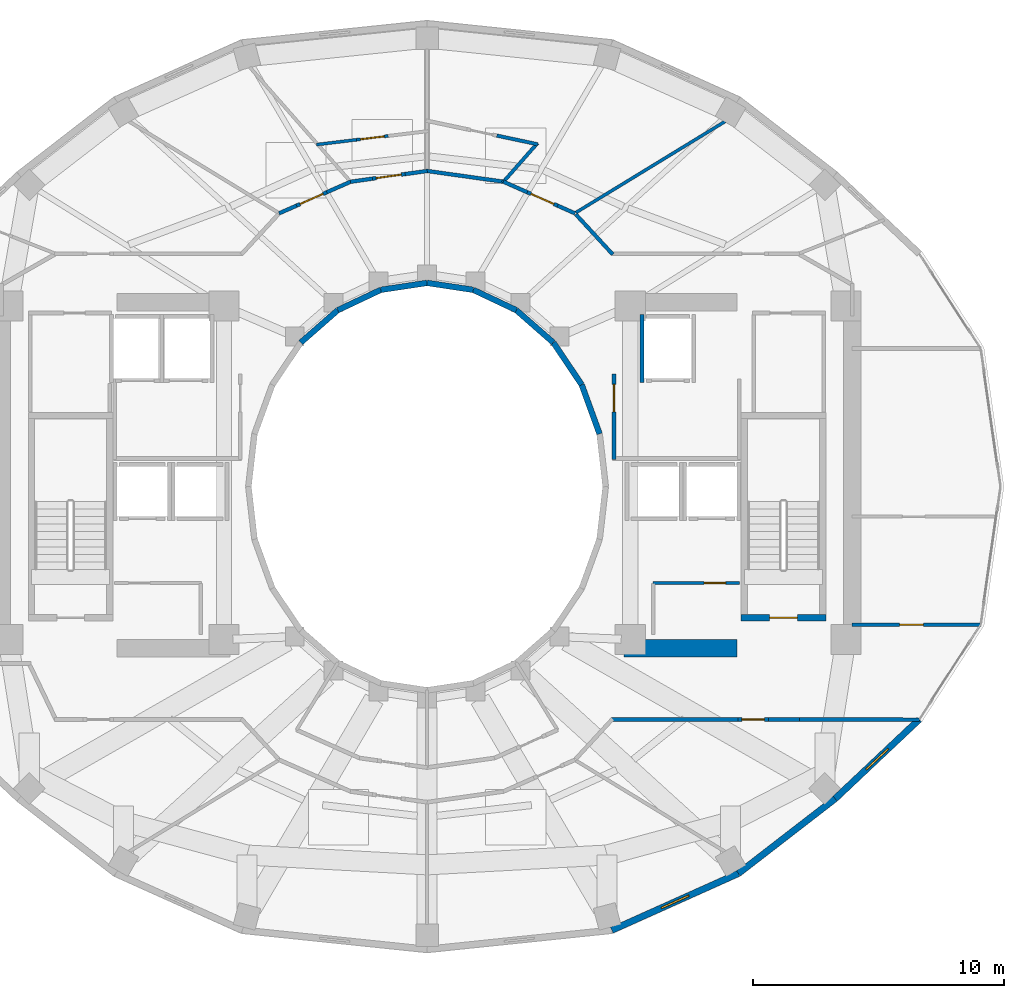
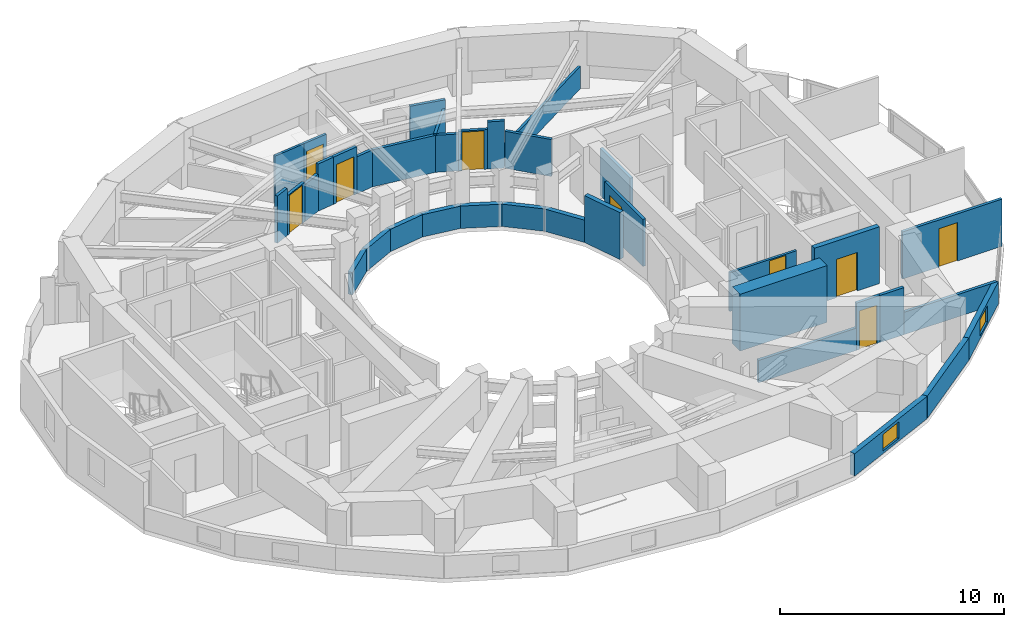
# One storey, part 8 of 13: 37 walls, 9 doors, 2 windows, 11 openings.
"""IFC4 building model written with IfcOpenShell, lengths in metres."""

from ifc_helpers import new_model, si_unit, direction, frame, frame_2d, origin, place, context, subcontext, project, spatial, rectangle, extrude, material, layer, layer_set, type_object, element, fill, save


model = new_model("IFC4")

# Units and contexts
model_context = context("Model", 3, precision=1e-05, world=origin(), true_north=direction((0.0, 1.0)))
body_context = subcontext(model_context, "Body", "Model", "MODEL_VIEW")
ifc_project = project(units=[si_unit("LENGTHUNIT", "METRE"), si_unit("AREAUNIT", "SQUARE_METRE"), si_unit("VOLUMEUNIT", "CUBIC_METRE"), si_unit("PLANEANGLEUNIT", "RADIAN"), si_unit("MASSUNIT", "GRAM", prefix="KILO")], contexts=[model_context])

# Site, building, storey
site_placement = place(None, origin())
site = spatial("IfcSite", under=ifc_project, at=site_placement, CompositionType="ELEMENT")
building_placement = place(site_placement, origin())
building = spatial("IfcBuilding", under=site, at=building_placement, Name="Solvane Sanctuary Tower", CompositionType="ELEMENT")
storey_placement = place(building_placement, frame((0.0, 0.0, 149.800048828125)))
storey = spatial("IfcBuildingStorey", under=building, at=storey_placement, Name="L45", CompositionType="ELEMENT", Elevation=149.800048828125)

# Wall
ifc_material_1 = material(Name="Concrete C60/75", Category="concrete")
ifc_layer_1 = layer(ifc_material_1, 0.699951171875, Name="Concrete C60/75")
ifc_layer_set_1 = layer_set([ifc_layer_1], Name="Concrete C60/75")
wall_type_1 = type_object("IfcWallType", Name="Wall W-CORE-700", PredefinedType="SHEAR", material=ifc_layer_set_1)
wall_1_placement = place(storey_placement, frame((39.85009765625, 16.550048828125, 0.0), z_axis=(0.0, 0.0, 1.0), x_axis=(1.0, 0.0, 0.0)))
element("IfcWall", 1, at=wall_1_placement, inside=storey, type_object=wall_type_1, Name="L45 Core Shear Wall EC-S", PredefinedType="SHEAR", context=body_context, shape_type="SweptSolid", body=[
    extrude(rectangle(XDim=4.5, YDim=0.699951171875, at=frame_2d((2.25, 0.0))), origin(), (0.0, 0.0, 1.0), 3.099853515625),
])

# Wall, opening, door
ifc_material_2 = material(Name="Acoustic Gypsum Partition Board")
ifc_layer_2 = layer(ifc_material_2, 0.14990234375, Name="Acoustic Gypsum Partition Board")
ifc_layer_set_2 = layer_set([ifc_layer_2], Name="Acoustic Gypsum Partition Board")
wall_type_2 = type_object("IfcWallType", Name="Wall W-CORR-150", PredefinedType="PARTITIONING", material=ifc_layer_set_2)
wall_2_placement = place(storey_placement, frame((39.449951171875, 24.080078125, 0.0), z_axis=(0.0, 0.0, 1.0), x_axis=(0.0, 1.0, 0.0)))
wall_2 = element("IfcWall", 2, at=wall_2_placement, inside=storey, type_object=wall_type_2, Name="L45 East Firefighting Lobby West Wall", PredefinedType="PARTITIONING", context=body_context, shape_type="SweptSolid", body=[
    extrude(rectangle(XDim=3.39990234375, YDim=0.14990234375, at=frame_2d((1.699951171875, 0.0))), origin(), (0.0, 0.0, 1.0), 2.574951171875),
])
opening_1_placement = place(wall_2_placement, frame((1.893798828125, 0.0, 0.0)))
opening_1 = element("IfcOpeningElement", 3, at=opening_1_placement, cuts=wall_2, Name="Opening D-L45-05", PredefinedType="OPENING", context=body_context, shape_type="SweptSolid", body=[
    extrude(rectangle(XDim=1.10009765625, YDim=2.10009765625, at=frame_2d((0.550048828125, 1.050048828125))), frame((0.0, 0.0849609375, 0.0), z_axis=(0.0, -1.0, 0.0), x_axis=(1.0, 0.0, 0.0)), (0.0, 0.0, 1.0), 0.169921875),
])
ifc_material_3 = material(Name="Architectural Stainless Steel 316", Category="steel")
door_type_1 = type_object("IfcDoorType", Name="Door D-FFL", OperationType="NOTDEFINED", PredefinedType="DOOR", material=ifc_material_3)
door_1_placement = place(opening_1_placement, origin())
door_1 = element("IfcDoor", 4, at=door_1_placement, inside=storey, type_object=door_type_1, Name="L45 East Firefighting Lobby Fire Door", OperationType="SINGLE_SWING_LEFT", OverallHeight=2.10009765625, OverallWidth=1.10009765625, PredefinedType="DOOR", context=body_context, shape_type="SweptSolid", body=[
    extrude(rectangle(XDim=1.10009765625, YDim=2.10009765625, at=frame_2d((0.550048828125, 1.050048828125))), frame((0.0, 0.02490234375, 0.0), z_axis=(0.0, -1.0, 0.0), x_axis=(1.0, 0.0, 0.0)), (0.0, 0.0, 1.0), 0.050048828125),
])
fill(opening_1, door_1)

wall_3_placement = place(storey_placement, frame((48.949951171875, 17.4970703125, 0.0), z_axis=(0.0, 0.0, 1.0), x_axis=(1.0, 0.0, 0.0)))
wall_3 = element("IfcWall", 5, at=wall_3_placement, inside=storey, type_object=wall_type_2, Name="L45 East Shoulder South Wall", PredefinedType="PARTITIONING", context=body_context, shape_type="SweptSolid", body=[
    extrude(rectangle(XDim=5.14013671875, YDim=0.14990234375, at=frame_2d((2.570068359375, 0.0))), origin(), (0.0, 0.0, 1.0), 2.574951171875),
])
opening_2_placement = place(wall_3_placement, frame((1.888671875, 0.0, 0.0)))
opening_2 = element("IfcOpeningElement", 6, at=opening_2_placement, cuts=wall_3, Name="Opening D-L45-10", PredefinedType="OPENING", context=body_context, shape_type="SweptSolid", body=[
    extrude(rectangle(XDim=0.949951171875, YDim=2.10009765625, at=frame_2d((0.47509765625, 1.050048828125))), frame((0.0, 0.0849609375, 0.0), z_axis=(0.0, -1.0, 0.0), x_axis=(1.0, 0.0, 0.0)), (0.0, 0.0, 1.0), 0.169921875),
])
ifc_material_4 = material(Name="Engineered Tropical Hardwood", Category="wood")
door_type_2 = type_object("IfcDoorType", Name="Door D-ROOM-950", OperationType="NOTDEFINED", PredefinedType="DOOR", material=ifc_material_4)
door_2_placement = place(opening_2_placement, origin())
door_2 = element("IfcDoor", 7, at=door_2_placement, inside=storey, type_object=door_type_2, Name="L45 East Shoulder South Door", OperationType="SINGLE_SWING_RIGHT", OverallHeight=2.10009765625, OverallWidth=0.949951171875, PredefinedType="DOOR", context=body_context, shape_type="SweptSolid", body=[
    extrude(rectangle(XDim=0.949951171875, YDim=2.10009765625, at=frame_2d((0.47509765625, 1.050048828125))), frame((0.0, 0.02490234375, 0.0), z_axis=(0.0, -1.0, 0.0), x_axis=(1.0, 0.0, 0.0)), (0.0, 0.0, 1.0), 0.050048828125),
])
fill(opening_2, door_2)

# Walls
wall_4_placement = place(storey_placement, frame((37.92822265625, 33.855712890625, 0.0), z_axis=(0.0, 0.0, 1.0), x_axis=(0.677579737957, -0.735449317567, 0.0)))
element("IfcWall", 8, at=wall_4_placement, inside=storey, type_object=wall_type_2, Name="L45 NE Corner Throat Wall", PredefinedType="PARTITIONING", context=body_context, shape_type="SweptSolid", body=[
    extrude(rectangle(XDim=2.172607421875, YDim=0.14990234375, at=frame_2d((1.08642578125, 0.0))), origin(), (0.0, 0.0, 1.0), 2.01904296875),
])
wall_5_placement = place(storey_placement, frame((39.330078125, 13.719970703125, 0.0), z_axis=(0.0, 0.0, 1.0), x_axis=(1.0, 0.0, 0.0)))
element("IfcWall", 9, at=wall_5_placement, inside=storey, type_object=wall_type_2, Name="L45 SE Corner Corridor Wall", PredefinedType="PARTITIONING", context=body_context, shape_type="SweptSolid", body=[
    extrude(rectangle(XDim=5.059814453125, YDim=0.14990234375, at=frame_2d((2.52978515625, 0.0))), origin(), (0.0, 0.0, 1.0), 1.219970703125),
])

# Wall, opening, door
wall_6_placement = place(storey_placement, frame((44.389892578125, 13.719970703125, 0.0), z_axis=(0.0, 0.0, 1.0), x_axis=(1.0, 0.0, 0.0)))
wall_6 = element("IfcWall", 10, at=wall_6_placement, inside=storey, type_object=wall_type_2, Name="L45 SE Corner Corridor Wall", PredefinedType="PARTITIONING", context=body_context, shape_type="SweptSolid", body=[
    extrude(rectangle(XDim=1.22021484375, YDim=0.14990234375, at=frame_2d((0.610107421875, 0.0))), origin(), (0.0, 0.0, 1.0), 2.574951171875),
])
opening_3_placement = place(wall_6_placement, frame((0.159912109375, 0.0, 0.0)))
opening_3 = element("IfcOpeningElement", 11, at=opening_3_placement, cuts=wall_6, Name="Opening D-L45-18", PredefinedType="OPENING", context=body_context, shape_type="SweptSolid", body=[
    extrude(rectangle(XDim=0.89990234375, YDim=2.10009765625, at=frame_2d((0.449951171875, 1.050048828125))), frame((0.0, 0.0849609375, 0.0), z_axis=(0.0, -1.0, 0.0), x_axis=(1.0, 0.0, 0.0)), (0.0, 0.0, 1.0), 0.169921875),
])
door_type_3 = type_object("IfcDoorType", Name="Door D-WET-900", OperationType="NOTDEFINED", PredefinedType="DOOR", material=ifc_material_4)
door_3_placement = place(opening_3_placement, origin())
door_3 = element("IfcDoor", 12, at=door_3_placement, inside=storey, type_object=door_type_3, Name="L45 SE Corner Salon Door", OperationType="SINGLE_SWING_RIGHT", OverallHeight=2.10009765625, OverallWidth=0.89990234375, PredefinedType="DOOR", context=body_context, shape_type="SweptSolid", body=[
    extrude(rectangle(XDim=0.89990234375, YDim=2.10009765625, at=frame_2d((0.449951171875, 1.050048828125))), frame((0.0, 0.02490234375, 0.0), z_axis=(0.0, -1.0, 0.0), x_axis=(1.0, 0.0, 0.0)), (0.0, 0.0, 1.0), 0.050048828125),
])
fill(opening_3, door_3)

# Walls
wall_7_placement = place(storey_placement, frame((45.610107421875, 13.719970703125, 0.0), z_axis=(0.0, 0.0, 1.0), x_axis=(1.0, 0.0, 0.0)))
element("IfcWall", 13, at=wall_7_placement, inside=storey, type_object=wall_type_2, Name="L45 SE Corner Corridor Wall", PredefinedType="PARTITIONING", context=body_context, shape_type="SweptSolid", body=[
    extrude(rectangle(XDim=1.239990234375, YDim=0.14990234375, at=frame_2d((0.6201171875, 0.0))), origin(), (0.0, 0.0, 1.0), 2.574951171875),
])
wall_8_placement = place(storey_placement, frame((46.75, 13.72021484375, 0.0), z_axis=(0.0, 0.0, 1.0), x_axis=(0.999997122315, -0.00239903348, 0.0)))
element("IfcWall", 14, at=wall_8_placement, inside=storey, type_object=wall_type_2, Name="L45 SE Corner Wing Wall", PredefinedType="PARTITIONING", context=body_context, shape_type="SweptSolid", body=[
    extrude(rectangle(XDim=4.884765625, YDim=0.14990234375, at=frame_2d((2.4423828125, 0.0))), origin(), (0.0, 0.0, 1.0), 1.219970703125),
])
wall_9_placement = place(storey_placement, frame((35.098876953125, 35.146240234375, 0.0), z_axis=(0.0, 0.0, 1.0), x_axis=(-0.990251283702, 0.139292480508, 0.0)))
element("IfcWall", 15, at=wall_9_placement, inside=storey, type_object=wall_type_2, Name="L45 En-suite Inner Wall N1", PredefinedType="PARTITIONING", context=body_context, shape_type="SweptSolid", body=[
    extrude(rectangle(XDim=3.179443359375, YDim=0.14990234375, at=frame_2d((1.58984375, 0.0))), origin(), (0.0, 0.0, 1.0), 2.01904296875),
])
wall_10_placement = place(storey_placement, frame((37.898193359375, 33.891845703125, 0.0), z_axis=(0.0, 0.0, 1.0), x_axis=(-0.914526186943, 0.404526702945, 0.0)))
element("IfcWall", 16, at=wall_10_placement, inside=storey, type_object=wall_type_2, Name="L45 Unit Corridor Wall N1", PredefinedType="PARTITIONING", context=body_context, shape_type="SweptSolid", body=[
    extrude(rectangle(XDim=0.75927734375, YDim=0.14990234375, at=frame_2d((0.379638671875, 0.0))), origin(), (0.0, 0.0, 1.0), 2.574951171875),
])

# Wall, opening, door
wall_11_placement = place(storey_placement, frame((37.203857421875, 34.198974609375, 0.0), z_axis=(0.0, 0.0, 1.0), x_axis=(-0.914549810084, 0.404473293155, 0.0)))
wall_11 = element("IfcWall", 17, at=wall_11_placement, inside=storey, type_object=wall_type_2, Name="L45 Unit Corridor Wall N1", PredefinedType="PARTITIONING", context=body_context, shape_type="SweptSolid", body=[
    extrude(rectangle(XDim=1.320068359375, YDim=0.14990234375, at=frame_2d((0.66015625, 0.0))), origin(), (0.0, 0.0, 1.0), 2.159912109375),
])
opening_4_placement = place(wall_11_placement, frame((0.159912109375, 0.0, 0.0)))
opening_4 = element("IfcOpeningElement", 18, at=opening_4_placement, cuts=wall_11, Name="Opening D-L45-22", PredefinedType="OPENING", context=body_context, shape_type="SweptSolid", body=[
    extrude(rectangle(XDim=1.0, YDim=2.10009765625, at=frame_2d((0.5, 1.050048828125))), frame((0.0, 0.0849609375, 0.0), z_axis=(0.0, -1.0, 0.0), x_axis=(1.0, 0.0, 0.0)), (0.0, 0.0, 1.0), 0.169921875),
])
door_type_4 = type_object("IfcDoorType", Name="Door D-UNIT", OperationType="NOTDEFINED", PredefinedType="DOOR", material=ifc_material_4)
door_4_placement = place(opening_4_placement, origin())
door_4 = element("IfcDoor", 19, at=door_4_placement, inside=storey, type_object=door_type_4, Name="L45 Unit Entrance Door N1", OperationType="SINGLE_SWING_RIGHT", OverallHeight=2.10009765625, OverallWidth=1.0, PredefinedType="DOOR", context=body_context, shape_type="SweptSolid", body=[
    extrude(rectangle(XDim=1.0, YDim=2.10009765625, at=frame_2d((0.5, 1.050048828125))), frame((0.0, 0.02490234375, 0.0), z_axis=(0.0, -1.0, 0.0), x_axis=(1.0, 0.0, 0.0)), (0.0, 0.0, 1.0), 0.050048828125),
])
fill(opening_4, door_4)

# Walls
wall_12_placement = place(storey_placement, frame((35.99658203125, 34.73291015625, 0.0), z_axis=(0.0, 0.0, 1.0), x_axis=(-0.914475459316, 0.40464136505, 0.0)))
element("IfcWall", 20, at=wall_12_placement, inside=storey, type_object=wall_type_2, Name="L45 Unit Corridor Wall N1", PredefinedType="PARTITIONING", context=body_context, shape_type="SweptSolid", body=[
    extrude(rectangle(XDim=1.04443359375, YDim=0.14990234375, at=frame_2d((0.522216796875, 0.0))), origin(), (0.0, 0.0, 1.0), 2.01904296875),
])
wall_13_placement = place(storey_placement, frame((32.00830078125, 35.58203125, 0.0), z_axis=(0.0, 0.0, 1.0), x_axis=(-0.990276708961, -0.139111608755, 0.0)))
element("IfcWall", 21, at=wall_13_placement, inside=storey, type_object=wall_type_2, Name="L45 Unit Corridor Wall N2", PredefinedType="PARTITIONING", context=body_context, shape_type="SweptSolid", body=[
    extrude(rectangle(XDim=0.887939453125, YDim=0.14990234375, at=frame_2d((0.44384765625, 0.0))), origin(), (0.0, 0.0, 1.0), 2.01904296875),
])

# Wall, opening, door
wall_14_placement = place(storey_placement, frame((31.12890625, 35.45849609375, 0.0), z_axis=(0.0, 0.0, 1.0), x_axis=(-0.990254187593, -0.139271834751, 0.0)))
wall_14 = element("IfcWall", 22, at=wall_14_placement, inside=storey, type_object=wall_type_2, Name="L45 Unit Corridor Wall N2", PredefinedType="PARTITIONING", context=body_context, shape_type="SweptSolid", body=[
    extrude(rectangle(XDim=1.320068359375, YDim=0.14990234375, at=frame_2d((0.66015625, 0.0))), origin(), (0.0, 0.0, 1.0), 2.574951171875),
])
opening_5_placement = place(wall_14_placement, frame((0.159912109375, 0.0, 0.0)))
opening_5 = element("IfcOpeningElement", 23, at=opening_5_placement, cuts=wall_14, Name="Opening D-L45-24", PredefinedType="OPENING", context=body_context, shape_type="SweptSolid", body=[
    extrude(rectangle(XDim=1.0, YDim=2.10009765625, at=frame_2d((0.5, 1.050048828125))), frame((0.0, 0.0849609375, 0.0), z_axis=(0.0, -1.0, 0.0), x_axis=(1.0, 0.0, 0.0)), (0.0, 0.0, 1.0), 0.169921875),
])
door_5_placement = place(opening_5_placement, origin())
door_5 = element("IfcDoor", 24, at=door_5_placement, inside=storey, type_object=door_type_4, Name="L45 Unit Entrance Door N2", OperationType="SINGLE_SWING_RIGHT", OverallHeight=2.10009765625, OverallWidth=1.0, PredefinedType="DOOR", context=body_context, shape_type="SweptSolid", body=[
    extrude(rectangle(XDim=1.0, YDim=2.10009765625, at=frame_2d((0.5, 1.050048828125))), frame((0.0, 0.02490234375, 0.0), z_axis=(0.0, -1.0, 0.0), x_axis=(1.0, 0.0, 0.0)), (0.0, 0.0, 1.0), 0.050048828125),
])
fill(opening_5, door_5)

# Walls
wall_15_placement = place(storey_placement, frame((29.82177734375, 35.274658203125, 0.0), z_axis=(0.0, 0.0, 1.0), x_axis=(-0.990233457483, -0.139419151054, 0.0)))
element("IfcWall", 25, at=wall_15_placement, inside=storey, type_object=wall_type_2, Name="L45 Unit Corridor Wall N2", PredefinedType="PARTITIONING", context=body_context, shape_type="SweptSolid", body=[
    extrude(rectangle(XDim=0.887939453125, YDim=0.14990234375, at=frame_2d((0.44384765625, 0.0))), origin(), (0.0, 0.0, 1.0), 2.574951171875),
])
wall_16_placement = place(storey_placement, frame((28.95849609375, 35.155517578125, 0.0), z_axis=(0.0, 0.0, 1.0), x_axis=(-0.914475459316, -0.40464136505, 0.0)))
element("IfcWall", 26, at=wall_16_placement, inside=storey, type_object=wall_type_2, Name="L45 Unit Corridor Wall N3", PredefinedType="PARTITIONING", context=body_context, shape_type="SweptSolid", body=[
    extrude(rectangle(XDim=1.04443359375, YDim=0.14990234375, at=frame_2d((0.522216796875, 0.0))), origin(), (0.0, 0.0, 1.0), 2.01904296875),
])

# Wall, opening, door
wall_17_placement = place(storey_placement, frame((28.00341796875, 34.73291015625, 0.0), z_axis=(0.0, 0.0, 1.0), x_axis=(-0.914549810084, -0.404473293155, 0.0)))
wall_17 = element("IfcWall", 27, at=wall_17_placement, inside=storey, type_object=wall_type_2, Name="L45 Unit Corridor Wall N3", PredefinedType="PARTITIONING", context=body_context, shape_type="SweptSolid", body=[
    extrude(rectangle(XDim=1.320068359375, YDim=0.14990234375, at=frame_2d((0.66015625, 0.0))), origin(), (0.0, 0.0, 1.0), 2.159912109375),
])
opening_6_placement = place(wall_17_placement, frame((0.159912109375, 0.0, 0.0)))
opening_6 = element("IfcOpeningElement", 28, at=opening_6_placement, cuts=wall_17, Name="Opening D-L45-25", PredefinedType="OPENING", context=body_context, shape_type="SweptSolid", body=[
    extrude(rectangle(XDim=1.0, YDim=2.10009765625, at=frame_2d((0.5, 1.050048828125))), frame((0.0, 0.0849609375, 0.0), z_axis=(0.0, -1.0, 0.0), x_axis=(1.0, 0.0, 0.0)), (0.0, 0.0, 1.0), 0.169921875),
])
door_6_placement = place(opening_6_placement, origin())
door_6 = element("IfcDoor", 29, at=door_6_placement, inside=storey, type_object=door_type_4, Name="L45 Unit Entrance Door N3", OperationType="SINGLE_SWING_LEFT", OverallHeight=2.10009765625, OverallWidth=1.0, PredefinedType="DOOR", context=body_context, shape_type="SweptSolid", body=[
    extrude(rectangle(XDim=1.0, YDim=2.10009765625, at=frame_2d((0.5, 1.050048828125))), frame((0.0, 0.02490234375, 0.0), z_axis=(0.0, -1.0, 0.0), x_axis=(1.0, 0.0, 0.0)), (0.0, 0.0, 1.0), 0.050048828125),
])
fill(opening_6, door_6)

# Wall
wall_18_placement = place(storey_placement, frame((26.796142578125, 34.198974609375, 0.0), z_axis=(0.0, 0.0, 1.0), x_axis=(-0.914526186943, -0.404526702945, 0.0)))
element("IfcWall", 30, at=wall_18_placement, inside=storey, type_object=wall_type_2, Name="L45 Unit Corridor Wall N3", PredefinedType="PARTITIONING", context=body_context, shape_type="SweptSolid", body=[
    extrude(rectangle(XDim=0.75927734375, YDim=0.14990234375, at=frame_2d((0.379638671875, 0.0))), origin(), (0.0, 0.0, 1.0), 2.574951171875),
])

# Wall, opening, window
ifc_material_5 = material(Name="Precast concrete C40/50", Category="concrete")
ifc_layer_3 = layer(ifc_material_5, 0.260009765625, Name="Precast concrete C40/50")
ifc_layer_set_3 = layer_set([ifc_layer_3], Name="Precast concrete C40/50")
wall_type_3 = type_object("IfcWallType", Name="Wall W-EXT-250", PredefinedType="STANDARD", material=ifc_layer_set_3)
wall_19_placement = place(storey_placement, frame((39.365234375, 5.3154296875, 0.0), z_axis=(0.0, 0.0, 1.0), x_axis=(0.912353637112, 0.409403029847, 0.0)))
wall_19 = element("IfcWall", 31, at=wall_19_placement, inside=storey, type_object=wall_type_3, Name="L45 Ceramic-Printed Facade Wall 19", PredefinedType="STANDARD", context=body_context, shape_type="SweptSolid", body=[
    extrude(rectangle(XDim=5.53271484375, YDim=0.260009765625, at=frame_2d((2.766357421875, 0.0))), origin(), (0.0, 0.0, 1.0), 1.219970703125),
])
opening_7_placement = place(wall_19_placement, frame((2.16650390625, 0.0, 0.14990234375)))
opening_7 = element("IfcOpeningElement", 32, at=opening_7_placement, cuts=wall_19, Name="Opening WN-OPER-1200", PredefinedType="OPENING", context=body_context, shape_type="SweptSolid", body=[
    extrude(rectangle(XDim=1.199951171875, YDim=0.89990234375, at=frame_2d((0.60009765625, 0.449951171875))), frame((0.0, 0.139892578125, 0.0), z_axis=(0.0, -1.0, 0.0), x_axis=(1.0, 0.0, 0.0)), (0.0, 0.0, 1.0), 0.280029296875),
])
ifc_material_6 = material(Name="Dark Ceramic-Fritted Low-E Glass", Category="glass")
window_type = type_object("IfcWindowType", Name="Window WN-OPER-1200", PartitioningType="SINGLE_PANEL", PredefinedType="WINDOW", material=ifc_material_6)
window_1_placement = place(opening_7_placement, origin())
window_1 = element("IfcWindow", 33, at=window_1_placement, inside=storey, type_object=window_type, Name="L45 Operable Facade Window 19", OverallHeight=0.89990234375, OverallWidth=1.199951171875, PartitioningType="SINGLE_PANEL", PredefinedType="WINDOW", context=body_context, shape_type="SweptSolid", body=[
    extrude(rectangle(XDim=1.199951171875, YDim=0.89990234375, at=frame_2d((0.60009765625, 0.449951171875))), frame((0.0, 0.030029296875, 0.0), z_axis=(0.0, -1.0, 0.0), x_axis=(1.0, 0.0, 0.0)), (0.0, 0.0, 1.0), 0.06005859375),
])
fill(opening_7, window_1)

# Wall
wall_20_placement = place(storey_placement, frame((44.4130859375, 7.58056640625, 0.0), z_axis=(0.0, 0.0, 1.0), x_axis=(0.791460185804, 0.611220724687, 0.0)))
element("IfcWall", 34, at=wall_20_placement, inside=storey, type_object=wall_type_3, Name="L45 Ceramic-Printed Facade Wall 20", PredefinedType="STANDARD", context=body_context, shape_type="SweptSolid", body=[
    extrude(rectangle(XDim=4.872314453125, YDim=0.260009765625, at=frame_2d((2.43603515625, 0.0))), origin(), (0.0, 0.0, 1.0), 1.219970703125),
])

# Wall, opening, window
wall_21_placement = place(storey_placement, frame((48.269287109375, 10.55859375, 0.0), z_axis=(0.0, 0.0, 1.0), x_axis=(0.727667301037, 0.68593024354, 0.0)))
wall_21 = element("IfcWall", 35, at=wall_21_placement, inside=storey, type_object=wall_type_3, Name="L45 Ceramic-Printed Facade Wall 21", PredefinedType="STANDARD", context=body_context, shape_type="SweptSolid", body=[
    extrude(rectangle(XDim=4.603515625, YDim=0.260009765625, at=frame_2d((2.3017578125, 0.0))), origin(), (0.0, 0.0, 1.0), 1.219970703125),
])
opening_8_placement = place(wall_21_placement, frame((1.70166015625, 0.0, 0.14990234375)))
opening_8 = element("IfcOpeningElement", 36, at=opening_8_placement, cuts=wall_21, Name="Opening WN-OPER-1200", PredefinedType="OPENING", context=body_context, shape_type="SweptSolid", body=[
    extrude(rectangle(XDim=1.199951171875, YDim=0.89990234375, at=frame_2d((0.60009765625, 0.449951171875))), frame((0.0, 0.139892578125, 0.0), z_axis=(0.0, -1.0, 0.0), x_axis=(1.0, 0.0, 0.0)), (0.0, 0.0, 1.0), 0.280029296875),
])
window_2_placement = place(opening_8_placement, origin())
window_2 = element("IfcWindow", 37, at=window_2_placement, inside=storey, type_object=window_type, Name="L45 Operable Facade Window 21", OverallHeight=0.89990234375, OverallWidth=1.199951171875, PartitioningType="SINGLE_PANEL", PredefinedType="WINDOW", context=body_context, shape_type="SweptSolid", body=[
    extrude(rectangle(XDim=1.199951171875, YDim=0.89990234375, at=frame_2d((0.60009765625, 0.449951171875))), frame((0.0, 0.030029296875, 0.0), z_axis=(0.0, -1.0, 0.0), x_axis=(1.0, 0.0, 0.0)), (0.0, 0.0, 1.0), 0.06005859375),
])
fill(opening_8, window_2)

# Walls
ifc_layer_4 = layer(ifc_material_5, 0.22998046875, Name="Precast concrete C40/50")
ifc_layer_set_4 = layer_set([ifc_layer_4], Name="Precast concrete C40/50")
wall_type_4 = type_object("IfcWallType", Name="Wall W-EXT-SP220", PredefinedType="STANDARD", material=ifc_layer_set_4)
wall_22_placement = place(storey_placement, frame((38.87744140625, 25.1015625, 0.0), z_axis=(0.0, 0.0, 1.0), x_axis=(-0.341423187295, 0.93990968033, 0.0)))
element("IfcWall", 38, at=wall_22_placement, inside=storey, type_object=wall_type_4, Name="L45 Central Light-Well Wall 01", PredefinedType="STANDARD", context=body_context, shape_type="SweptSolid", body=[
    extrude(rectangle(XDim=2.083740234375, YDim=0.22998046875, at=frame_2d((1.0419921875, 0.0))), origin(), (0.0, 0.0, 1.0), 2.56005859375),
])
wall_23_placement = place(storey_placement, frame((38.166015625, 27.06005859375, 0.0), z_axis=(0.0, 0.0, 1.0), x_axis=(-0.558197800898, 0.829707909492, 0.0)))
element("IfcWall", 39, at=wall_23_placement, inside=storey, type_object=wall_type_4, Name="L45 Central Light-Well Wall 02", PredefinedType="STANDARD", context=body_context, shape_type="SweptSolid", body=[
    extrude(rectangle(XDim=2.02685546875, YDim=0.22998046875, at=frame_2d((1.013427734375, 0.0))), origin(), (0.0, 0.0, 1.0), 1.219970703125),
])
wall_24_placement = place(storey_placement, frame((37.03466796875, 28.74169921875, 0.0), z_axis=(0.0, 0.0, 1.0), x_axis=(-0.752576694707, 0.658504607869, 0.0)))
element("IfcWall", 40, at=wall_24_placement, inside=storey, type_object=wall_type_4, Name="L45 Central Light-Well Wall 03", PredefinedType="STANDARD", context=body_context, shape_type="SweptSolid", body=[
    extrude(rectangle(XDim=1.95947265625, YDim=0.22998046875, at=frame_2d((0.979736328125, 0.0))), origin(), (0.0, 0.0, 1.0), 1.219970703125),
])
wall_25_placement = place(storey_placement, frame((35.56005859375, 30.031982421875, 0.0), z_axis=(0.0, 0.0, 1.0), x_axis=(-0.904179699603, 0.427152280606, 0.0)))
element("IfcWall", 41, at=wall_25_placement, inside=storey, type_object=wall_type_4, Name="L45 Central Light-Well Wall 04", PredefinedType="STANDARD", context=body_context, shape_type="SweptSolid", body=[
    extrude(rectangle(XDim=1.899169921875, YDim=0.22998046875, at=frame_2d((0.94970703125, 0.0))), origin(), (0.0, 0.0, 1.0), 1.219970703125),
])
for number, where, z_axis, x_axis, name in (
    (42, (33.8427734375, 30.84326171875, 0.0), (0.0, 0.0, 1.0), (-0.988901730308, 0.148571086668, 0.0), "L45 Central Light-Well Wall 05"),
    (43, (32.0, 31.1201171875, 0.0), (0.0, 0.0, 1.0), (-0.988901730308, -0.148571086668, 0.0), "L45 Central Light-Well Wall 06"),
):
    element("IfcWall", number, at=place(storey_placement, frame(where, z_axis=z_axis, x_axis=x_axis)), inside=storey, type_object=wall_type_4, Name=name, PredefinedType="STANDARD", context=body_context, shape_type="SweptSolid", body=[
        extrude(rectangle(XDim=1.863525390625, YDim=0.22998046875, at=frame_2d((0.931640625, 0.0))), origin(), (0.0, 0.0, 1.0), 1.219970703125),
    ])
wall_26_placement = place(storey_placement, frame((30.1572265625, 30.84326171875, 0.0), z_axis=(0.0, 0.0, 1.0), x_axis=(-0.904179699603, -0.427152280606, 0.0)))
element("IfcWall", 44, at=wall_26_placement, inside=storey, type_object=wall_type_4, Name="L45 Central Light-Well Wall 07", PredefinedType="STANDARD", context=body_context, shape_type="SweptSolid", body=[
    extrude(rectangle(XDim=1.899169921875, YDim=0.22998046875, at=frame_2d((0.94970703125, 0.0))), origin(), (0.0, 0.0, 1.0), 1.219970703125),
])
wall_27_placement = place(storey_placement, frame((28.43994140625, 30.031982421875, 0.0), z_axis=(0.0, 0.0, 1.0), x_axis=(-0.752576694707, -0.658504607869, 0.0)))
element("IfcWall", 45, at=wall_27_placement, inside=storey, type_object=wall_type_4, Name="L45 Central Light-Well Wall 08", PredefinedType="STANDARD", context=body_context, shape_type="SweptSolid", body=[
    extrude(rectangle(XDim=1.95947265625, YDim=0.22998046875, at=frame_2d((0.979736328125, 0.0))), origin(), (0.0, 0.0, 1.0), 1.219970703125),
])

# Wall, opening, door
ifc_layer_5 = layer(ifc_material_2, 0.1201171875, Name="Acoustic Gypsum Partition Board")
ifc_layer_set_5 = layer_set([ifc_layer_5], Name="Acoustic Gypsum Partition Board")
wall_type_5 = type_object("IfcWallType", Name="Wall W-MOV-100", PredefinedType="MOVABLE", material=ifc_layer_set_5)
wall_28_placement = place(storey_placement, frame((30.452392578125, 36.978271484375, 0.0), z_axis=(0.0, 0.0, 1.0), x_axis=(-0.992758113942, -0.120130459093, 0.0)))
wall_28 = element("IfcWall", 46, at=wall_28_placement, inside=storey, type_object=wall_type_5, Name="L45 Suite Sitting Lounge Partition N2", PredefinedType="MOVABLE", context=body_context, shape_type="SweptSolid", body=[
    extrude(rectangle(XDim=1.270263671875, YDim=0.1201171875, at=frame_2d((0.63525390625, 0.0))), origin(), (0.0, 0.0, 1.0), 2.574951171875),
])
opening_9_placement = place(wall_28_placement, frame((0.159912109375, 0.0, 0.0)))
opening_9 = element("IfcOpeningElement", 47, at=opening_9_placement, cuts=wall_28, Name="Opening D-L45-23", PredefinedType="OPENING", context=body_context, shape_type="SweptSolid", body=[
    extrude(rectangle(XDim=0.949951171875, YDim=2.10009765625, at=frame_2d((0.47509765625, 1.050048828125))), frame((0.0, 0.070068359375, 0.0), z_axis=(0.0, -1.0, 0.0), x_axis=(1.0, 0.0, 0.0)), (0.0, 0.0, 1.0), 0.14013671875),
])
door_7_placement = place(opening_9_placement, origin())
door_7 = element("IfcDoor", 48, at=door_7_placement, inside=storey, type_object=door_type_2, Name="L45 Suite Sitting Lounge Door N2", OperationType="SINGLE_SWING_LEFT", OverallHeight=2.10009765625, OverallWidth=0.949951171875, PredefinedType="DOOR", context=body_context, shape_type="SweptSolid", body=[
    extrude(rectangle(XDim=0.949951171875, YDim=2.10009765625, at=frame_2d((0.47509765625, 1.050048828125))), frame((0.0, 0.02490234375, 0.0), z_axis=(0.0, -1.0, 0.0), x_axis=(1.0, 0.0, 0.0)), (0.0, 0.0, 1.0), 0.050048828125),
])
fill(opening_9, door_7)

# Wall
wall_29_placement = place(storey_placement, frame((29.19140625, 36.82568359375, 0.0), z_axis=(0.0, 0.0, 1.0), x_axis=(-0.992751349772, -0.120186345005, 0.0)))
element("IfcWall", 49, at=wall_29_placement, inside=storey, type_object=wall_type_5, Name="L45 Suite Sitting Lounge Partition N2", PredefinedType="MOVABLE", context=body_context, shape_type="SweptSolid", body=[
    extrude(rectangle(XDim=1.60888671875, YDim=0.1201171875, at=frame_2d((0.804443359375, 0.0))), origin(), (0.0, 0.0, 1.0), 2.574951171875),
])

# Wall, opening, door
ifc_layer_6 = layer(ifc_material_2, 0.125, Name="Acoustic Gypsum Partition Board")
ifc_layer_set_6 = layer_set([ifc_layer_6], Name="Acoustic Gypsum Partition Board")
wall_type_6 = type_object("IfcWallType", Name="Wall W-PART-125", PredefinedType="PARTITIONING", material=ifc_layer_set_6)
wall_30_placement = place(storey_placement, frame((41.0, 19.159912109375, 0.0), z_axis=(0.0, 0.0, 1.0), x_axis=(1.0, 0.0, 0.0)))
wall_30 = element("IfcWall", 50, at=wall_30_placement, inside=storey, type_object=wall_type_6, Name="L45 Reclaimed Room Partition PLE", PredefinedType="PARTITIONING", context=body_context, shape_type="SweptSolid", body=[
    extrude(rectangle(XDim=3.449951171875, YDim=0.125, at=frame_2d((1.72509765625, 0.0))), origin(), (0.0, 0.0, 1.0), 2.119873046875),
])
opening_10_placement = place(wall_30_placement, frame((2.050048828125, 0.0, 0.0)))
opening_10 = element("IfcOpeningElement", 51, at=opening_10_placement, cuts=wall_30, Name="Opening D-L45-07", PredefinedType="OPENING", context=body_context, shape_type="SweptSolid", body=[
    extrude(rectangle(XDim=0.85009765625, YDim=2.050048828125, at=frame_2d((0.425048828125, 1.02490234375))), frame((0.0, 0.072509765625, 0.0), z_axis=(0.0, -1.0, 0.0), x_axis=(1.0, 0.0, 0.0)), (0.0, 0.0, 1.0), 0.14501953125),
])
door_type_5 = type_object("IfcDoorType", Name="Door D-RISER", OperationType="NOTDEFINED", PredefinedType="DOOR", material=ifc_material_3)
door_8_placement = place(opening_10_placement, origin())
door_8 = element("IfcDoor", 52, at=door_8_placement, inside=storey, type_object=door_type_5, Name="L45 Reclaimed Room Door PLE-1", OperationType="SINGLE_SWING_LEFT", OverallHeight=2.050048828125, OverallWidth=0.85009765625, PredefinedType="DOOR", context=body_context, shape_type="SweptSolid", body=[
    extrude(rectangle(XDim=0.85009765625, YDim=2.050048828125, at=frame_2d((0.425048828125, 1.02490234375))), frame((0.0, 0.02490234375, 0.0), z_axis=(0.0, -1.0, 0.0), x_axis=(1.0, 0.0, 0.0)), (0.0, 0.0, 1.0), 0.050048828125),
])
fill(opening_10, door_8)

# Walls
wall_31_placement = place(storey_placement, frame((37.93798828125, 33.925048828125, 0.0), z_axis=(0.0, 0.0, 1.0), x_axis=(0.853440334679, 0.521190555501, 0.0)))
element("IfcWall", 53, at=wall_31_placement, inside=storey, type_object=wall_type_6, Name="L45 Radial Compartment Wall 060", PredefinedType="PARTITIONING", context=body_context, shape_type="SweptSolid", body=[
    extrude(rectangle(XDim=6.966064453125, YDim=0.125, at=frame_2d((3.48291015625, 0.0))), origin(), (0.0, 0.0, 1.0), 1.219970703125),
])
ifc_material_7 = material(Name="Concrete C50/60", Category="concrete")
ifc_layer_7 = layer(ifc_material_7, 0.14990234375, Name="Concrete C50/60")
ifc_layer_set_7 = layer_set([ifc_layer_7], Name="Concrete C50/60")
wall_type_7 = type_object("IfcWallType", Name="Wall W-SHAFT-150", PredefinedType="SOLIDWALL", material=ifc_layer_set_7)
wall_32_placement = place(storey_placement, frame((40.570068359375, 27.139892578125, 0.0), z_axis=(0.0, 0.0, 1.0), x_axis=(0.0, 1.0, 0.0)))
element("IfcWall", 54, at=wall_32_placement, inside=storey, type_object=wall_type_7, Name="L45 FFL-2 Lift Shaft Wall S1", PredefinedType="SOLIDWALL", context=body_context, shape_type="SweptSolid", body=[
    extrude(rectangle(XDim=2.72021484375, YDim=0.14990234375, at=frame_2d((1.360107421875, 0.0))), origin(), (0.0, 0.0, 1.0), 2.574951171875),
])

# Wall, opening, door
ifc_layer_8 = layer(ifc_material_7, 0.25, Name="Concrete C50/60")
ifc_layer_set_8 = layer_set([ifc_layer_8], Name="Concrete C50/60")
wall_type_8 = type_object("IfcWallType", Name="Wall W-SHAFT-250", PredefinedType="SOLIDWALL", material=ifc_layer_set_8)
wall_33_placement = place(storey_placement, frame((44.52490234375, 17.77001953125, 0.0), z_axis=(0.0, 0.0, 1.0), x_axis=(1.0, 0.0, 0.0)))
wall_33 = element("IfcWall", 55, at=wall_33_placement, inside=storey, type_object=wall_type_8, Name="L45 ST-2 Load-Bearing Shaft Wall S", PredefinedType="SOLIDWALL", context=body_context, shape_type="SweptSolid", body=[
    extrude(rectangle(XDim=3.3701171875, YDim=0.25, at=frame_2d((1.68505859375, 0.0))), origin(), (0.0, 0.0, 1.0), 3.099853515625),
])
opening_11_placement = place(wall_33_placement, frame((1.135009765625, 0.0, 0.0)))
opening_11 = element("IfcOpeningElement", 56, at=opening_11_placement, cuts=wall_33, Name="Opening D-L45-02", PredefinedType="OPENING", context=body_context, shape_type="SweptSolid", body=[
    extrude(rectangle(XDim=1.10009765625, YDim=2.10009765625, at=frame_2d((0.550048828125, 1.050048828125))), frame((0.0, 0.135009765625, 0.0), z_axis=(0.0, -1.0, 0.0), x_axis=(1.0, 0.0, 0.0)), (0.0, 0.0, 1.0), 0.27001953125),
])
door_type_6 = type_object("IfcDoorType", Name="Door D-STAIR", OperationType="NOTDEFINED", PredefinedType="DOOR", material=ifc_material_3)
door_9_placement = place(opening_11_placement, origin())
door_9 = element("IfcDoor", 57, at=door_9_placement, inside=storey, type_object=door_type_6, Name="L45 ST-2 Exit Stair Fire Door", OperationType="SINGLE_SWING_RIGHT", OverallHeight=2.10009765625, OverallWidth=1.10009765625, PredefinedType="DOOR", context=body_context, shape_type="SweptSolid", body=[
    extrude(rectangle(XDim=1.10009765625, YDim=2.10009765625, at=frame_2d((0.550048828125, 1.050048828125))), frame((0.0, 0.02490234375, 0.0), z_axis=(0.0, -1.0, 0.0), x_axis=(1.0, 0.0, 0.0)), (0.0, 0.0, 1.0), 0.050048828125),
])
fill(opening_11, door_9)

# Walls
ifc_layer_9 = layer(ifc_material_2, 0.139892578125, Name="Acoustic Gypsum Partition Board")
ifc_layer_set_9 = layer_set([ifc_layer_9], Name="Acoustic Gypsum Partition Board")
wall_type_9 = type_object("IfcWallType", Name="Wall W-WET-140", PredefinedType="PLUMBINGWALL", material=ifc_layer_set_9)
wall_34_placement = place(storey_placement, frame((35.016357421875, 35.11572265625, 0.0), z_axis=(0.0, 0.0, 1.0), x_axis=(0.660559753652, 0.750773475727, 0.0)))
element("IfcWall", 58, at=wall_34_placement, inside=storey, type_object=wall_type_9, Name="L45 En-suite Side Partition N1", PredefinedType="PLUMBINGWALL", context=body_context, shape_type="SweptSolid", body=[
    extrude(rectangle(XDim=2.10009765625, YDim=0.139892578125, at=frame_2d((1.050048828125, 0.0))), origin(), (0.0, 0.0, 1.0), 2.10498046875),
])
wall_35_placement = place(storey_placement, frame((36.41943359375, 36.644287109375, 0.0), z_axis=(0.0, 0.0, 1.0), x_axis=(-0.978225152663, 0.207546502496, 0.0)))
element("IfcWall", 59, at=wall_35_placement, inside=storey, type_object=wall_type_9, Name="L45 En-suite Bedroom Wall N1", PredefinedType="PLUMBINGWALL", context=body_context, shape_type="SweptSolid", body=[
    extrude(rectangle(XDim=1.673828125, YDim=0.139892578125, at=frame_2d((0.8369140625, 0.0))), origin(), (0.0, 0.0, 1.0), 2.574951171875),
])

save(model, "model.ifc")
